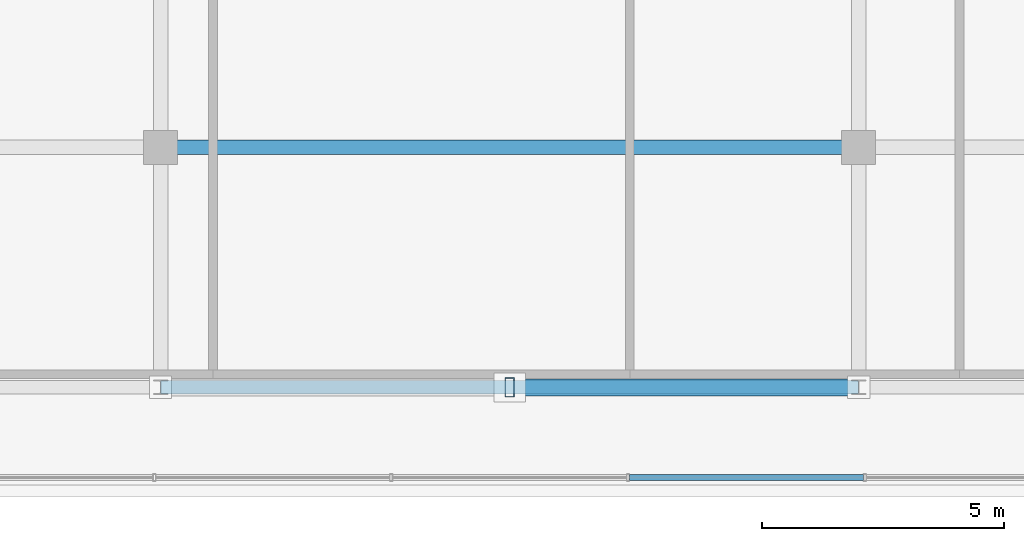
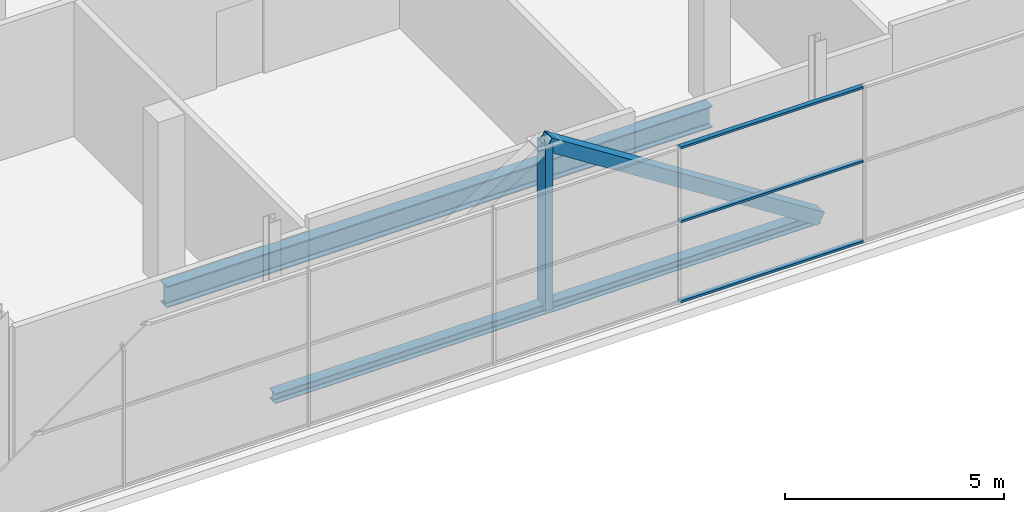
# One storey, part 8 of 28: 5 members, 2 beams, 1 element without a shape of its own.
"""IFC4 building model written with IfcOpenShell, lengths in metres."""

import ifcopenshell
import ifcopenshell.guid

model = None  # the IFC model being written
_history = None  # IfcOwnerHistory: only IFC2X3 demands one
_inside = {}  # id of a spatial element -> (the spatial element, [elements in it])
_under = {}  # id of a project, library or spatial element -> (it, [spatial elements below it])
_declared = {}  # id of a project -> (the project, [libraries it declares])
_typed = {}  # id of a type object -> (the type object, [elements of that type])
_made_of = {}  # id of a material, layer set ... -> (it, [elements and type objects made of it])


def new_model(schema):
    """Start an empty IFC model of exactly this schema.

    Asked for "IFC4X3", IfcOpenShell would pick the latest addendum, in which some entities
    have other attributes; the version numbers below select the first issue.
    IFC2X3 requires an IfcOwnerHistory on every rooted entity: one is made here for all.
    """
    global model, _history
    if schema == "IFC4X3":
        model = ifcopenshell.file(schema_version=(4, 3, 0, 0))
    else:
        model = ifcopenshell.file(schema=schema)
    _inside.clear()
    _under.clear()
    _declared.clear()
    _typed.clear()
    _made_of.clear()
    _history = None
    if model.schema == "IFC2X3":
        org = make("IfcOrganization", Name="unknown")
        user = make(
            "IfcPersonAndOrganization",
            ThePerson=make("IfcPerson", FamilyName="unknown"),
            TheOrganization=org,
        )
        app = make(
            "IfcApplication",
            ApplicationDeveloper=org,
            Version="unknown",
            ApplicationFullName="unknown",
            ApplicationIdentifier="unknown",
        )
        _history = make(
            "IfcOwnerHistory",
            OwningUser=user,
            OwningApplication=app,
            ChangeAction="ADDED",
            CreationDate=0,
        )
    return model


def make(cls, **values):
    """One entity of the class cls with the attributes given. An attribute that is None is left unset."""
    return model.create_entity(
        cls, **{name: value for name, value in values.items() if value is not None}
    )


def rooted(cls, **values):
    """An entity with a GlobalId (a new one), such as an element, a storey or a relation."""
    return make(cls, GlobalId=ifcopenshell.guid.new(), OwnerHistory=_history, **values)


def si_unit(unit_type, name, prefix=None):
    """IfcSIUnit, for example si_unit("LENGTHUNIT", "METRE", prefix="MILLI")."""
    return make("IfcSIUnit", UnitType=unit_type, Prefix=prefix, Name=name)


def assignment(units):
    """IfcUnitAssignment: the units of a project."""
    return None if units is None else make("IfcUnitAssignment", Units=units)


def point(xyz):
    """IfcCartesianPoint."""
    return None if xyz is None else make("IfcCartesianPoint", Coordinates=xyz)


def direction(xyz):
    """IfcDirection."""
    return None if xyz is None else make("IfcDirection", DirectionRatios=xyz)


def frame(location, z_axis=None, x_axis=None):
    """IfcAxis2Placement3D, a coordinate frame: its origin and axes. An axis left out is left unset."""
    return make(
        "IfcAxis2Placement3D",
        Location=point(location),
        Axis=direction(z_axis),
        RefDirection=direction(x_axis),
    )


def frame_2d(location, x_axis=None):
    """IfcAxis2Placement2D, a coordinate frame in the plane: its origin and x axis."""
    return make(
        "IfcAxis2Placement2D", Location=point(location), RefDirection=direction(x_axis)
    )


def origin():
    """The frame at (0, 0, 0) with its axes left unset."""
    return frame((0.0, 0.0, 0.0))


def origin_2d():
    """The frame at (0, 0) in the plane with its x axis left unset."""
    return frame_2d((0.0, 0.0))


def place(relative_to, where):
    """IfcLocalPlacement: puts the frame where relative to a parent placement (None: the world)."""
    return make(
        "IfcLocalPlacement", PlacementRelTo=relative_to, RelativePlacement=where
    )


def context(
    kind, dimensions, precision=None, world=None, true_north=None, identifier=None
):
    """IfcGeometricRepresentationContext, for example the 3D "Model" context."""
    return make(
        "IfcGeometricRepresentationContext",
        ContextIdentifier=identifier,
        ContextType=kind,
        CoordinateSpaceDimension=dimensions,
        Precision=precision,
        WorldCoordinateSystem=world,
        TrueNorth=true_north,
    )


def subcontext(parent, identifier, kind, view, scale=None):
    """IfcGeometricRepresentationSubContext, for example "Body" below "Model"."""
    return make(
        "IfcGeometricRepresentationSubContext",
        ContextIdentifier=identifier,
        ContextType=kind,
        ParentContext=parent,
        TargetScale=scale,
        TargetView=view,
    )


def project(units=None, contexts=None):
    """IfcProject with its units and contexts."""
    return rooted(
        "IfcProject",
        Name="project",
        RepresentationContexts=contexts,
        UnitsInContext=assignment(units),
    )


def spatial(cls, under=None, at=None, **own):
    """A site, building, storey or space (cls), placed at a placement, below another one or the project."""
    s = rooted(cls, ObjectPlacement=at, **own)
    if under is not None:
        _under.setdefault(under.id(), (under, []))[1].append(s)
    return s


def profile(cls, at=None, kind="AREA", **sizes):
    """A parametric profile (cls). Its sizes go by their IFC names, for example OverallWidth=200.0."""
    return make(cls, ProfileType=kind, Position=at, **sizes)


def hollow_rectangle(**sizes):
    """IfcRectangleHollowProfileDef."""
    return profile("IfcRectangleHollowProfileDef", **sizes)


def i_section(**sizes):
    """IfcIShapeProfileDef."""
    return profile("IfcIShapeProfileDef", **sizes)


def extrude(swept, where, along, depth):
    """IfcExtrudedAreaSolid: the profile swept, set in the frame where, extruded along a direction by depth."""
    return make(
        "IfcExtrudedAreaSolid",
        SweptArea=swept,
        Position=where,
        ExtrudedDirection=direction(along),
        Depth=depth,
    )


def shape(context_of_items, identifier, shape_type, items):
    """IfcShapeRepresentation: the items that make up one representation, for example the "Body"."""
    return make(
        "IfcShapeRepresentation",
        ContextOfItems=context_of_items,
        RepresentationIdentifier=identifier,
        RepresentationType=shape_type,
        Items=items,
    )


def source(mapping_origin, context_of_items, identifier, shape_type, items):
    """IfcRepresentationMap: a shape defined once, which mapped items show again and again."""
    return make(
        "IfcRepresentationMap",
        MappingOrigin=mapping_origin,
        MappedRepresentation=shape(context_of_items, identifier, shape_type, items),
    )


def transform(
    local_origin,
    x_axis=None,
    y_axis=None,
    z_axis=None,
    scale=None,
    scale2=None,
    scale3=None,
    uniform=True,
):
    """IfcCartesianTransformationOperator3D, or its non-uniform kind. x_axis, y_axis, z_axis: its Axis1, 2, 3."""
    if uniform:
        return make(
            "IfcCartesianTransformationOperator3D",
            Axis1=direction(x_axis),
            Axis2=direction(y_axis),
            LocalOrigin=point(local_origin),
            Scale=scale,
            Axis3=direction(z_axis),
        )
    return make(
        "IfcCartesianTransformationOperator3DnonUniform",
        Axis1=direction(x_axis),
        Axis2=direction(y_axis),
        LocalOrigin=point(local_origin),
        Scale=scale,
        Axis3=direction(z_axis),
        Scale2=scale2,
        Scale3=scale3,
    )


def mapped(mapping_source, mapping_target):
    """IfcMappedItem: shows the shape of a source again, moved by a transform."""
    return make(
        "IfcMappedItem", MappingSource=mapping_source, MappingTarget=mapping_target
    )


def material(Name=None, Category=None):
    """IfcMaterial."""
    return make("IfcMaterial", Name=Name, Category=Category)


def layer(
    of_material, thickness, ventilated=None, Name=None, Category=None, Priority=None
):
    """IfcMaterialLayer: one layer of a wall or slab, of a material (None: an air gap)."""
    return make(
        "IfcMaterialLayer",
        Material=of_material,
        LayerThickness=thickness,
        IsVentilated=ventilated,
        Name=Name,
        Category=Category,
        Priority=Priority,
    )


def layer_set(layers, Name=None):
    """IfcMaterialLayerSet."""
    return make("IfcMaterialLayerSet", MaterialLayers=layers, LayerSetName=Name)


def material_profile(
    of_material, cross_section, Name=None, Category=None, Priority=None
):
    """IfcMaterialProfile: a cross section and its material."""
    return make(
        "IfcMaterialProfile",
        Name=Name,
        Material=of_material,
        Profile=cross_section,
        Priority=Priority,
        Category=Category,
    )


def profile_set(profiles, Name=None, composite=None):
    """IfcMaterialProfileSet."""
    return make(
        "IfcMaterialProfileSet",
        Name=Name,
        MaterialProfiles=profiles,
        CompositeProfile=composite,
    )


def made_of(thing, what):
    """Note that an element or type object is made of a material, layer set ...; save() writes the relation."""
    if what is not None:
        _made_of.setdefault(what.id(), (what, []))[1].append(thing)
    return thing


def type_object(cls, material=None, **own):
    """A type object (cls), such as IfcWallType, which elements share."""
    return made_of(rooted(cls, **own), material)


def element(
    cls,
    number,
    at=None,
    inside=None,
    cuts=None,
    type_object=None,
    material=None,
    context=None,
    identifier="Body",
    shape_type=None,
    held_by="IfcProductDefinitionShape",
    body=None,
    shapes=None,
    **own,
):
    """One element of the class cls, such as IfcWall. Its Tag is "e" and its number.

    at: its placement. inside: the storey or other place that contains it. cuts: it is an
    opening in that element (IfcRelVoidsElement). A single representation is given by context,
    identifier, shape_type and body (its items); several are given by shapes. held_by: the class
    of the entity that holds the representations. save() writes the other relations.
    """
    e = rooted(cls, Tag="e%d" % number, ObjectPlacement=at, **own)
    if body is not None:
        shapes = [shape(context, identifier, shape_type, body)]
    if shapes is not None:
        e.Representation = make(held_by, Representations=shapes)
    if inside is not None:
        _inside.setdefault(inside.id(), (inside, []))[1].append(e)
    if cuts is not None:
        rooted(
            "IfcRelVoidsElement", RelatingBuildingElement=cuts, RelatedOpeningElement=e
        )
    if type_object is not None:
        _typed.setdefault(type_object.id(), (type_object, []))[1].append(e)
    return made_of(e, material)


def aggregate(whole, parts):
    """IfcRelAggregates: a whole, such as a stair, and the parts it consists of."""
    return rooted("IfcRelAggregates", RelatingObject=whole, RelatedObjects=parts)


def save(model, path):
    """Write the relations noted so far, then the file.

    IfcRelAggregates (storeys below a building ...), IfcRelContainedInSpatialStructure (elements
    in a storey), IfcRelDefinesByType, IfcRelAssociatesMaterial and IfcRelDeclares: one each for
    every whole, place, type object, material and project.
    """
    for whole, parts in _under.values():
        aggregate(whole, parts)
    for where, things in _inside.values():
        rooted(
            "IfcRelContainedInSpatialStructure",
            RelatedElements=things,
            RelatingStructure=where,
        )
    for kind, things in _typed.values():
        rooted("IfcRelDefinesByType", RelatedObjects=things, RelatingType=kind)
    for what, things in _made_of.values():
        rooted("IfcRelAssociatesMaterial", RelatedObjects=things, RelatingMaterial=what)
    for by, libraries in _declared.values():
        rooted("IfcRelDeclares", RelatingContext=by, RelatedDefinitions=libraries)
    model.write(path)


model = new_model("IFC4")

# Units and contexts
model_context = context("Model", 3, precision=1e-05, world=origin(), true_north=direction((0.0, 1.0)))
body_context = subcontext(model_context, "Body", "Model", "MODEL_VIEW")
ifc_project = project(units=[si_unit("LENGTHUNIT", "METRE"), si_unit("AREAUNIT", "SQUARE_METRE"), si_unit("VOLUMEUNIT", "CUBIC_METRE"), si_unit("PLANEANGLEUNIT", "RADIAN"), si_unit("MASSUNIT", "GRAM", prefix="KILO")], contexts=[model_context])

# Site, building, storey
site_placement = place(None, origin())
site = spatial("IfcSite", under=ifc_project, at=site_placement, CompositionType="ELEMENT")
building_placement = place(site_placement, origin())
building = spatial("IfcBuilding", under=site, at=building_placement, Name="Zarnakvel Exchange Tower", CompositionType="ELEMENT")
storey_placement = place(building_placement, frame((0.0, 0.0, 276.199951171875)))
storey = spatial("IfcBuildingStorey", under=building, at=storey_placement, Name="Crown L78", CompositionType="ELEMENT", Elevation=276.199951171875)

# Beams
ifc_material_1 = material(Name="Steel S355", Category="steel")
ifc_material_profile_1 = material_profile(ifc_material_1, i_section(OverallWidth=0.300048828125, OverallDepth=0.60009765625, WebThickness=0.015380859375, FlangeThickness=0.030029296875, FilletRadius=0.027099609375, at=origin_2d()))
ifc_profile_set_1 = profile_set([ifc_material_profile_1], Name="Steel S355")
beam_type_1 = type_object("IfcBeamType", Name="G-04", PredefinedType="BEAM", material=ifc_profile_set_1)
beam_1_placement = place(storey_placement, frame((-7.199951171875, -9.60009765625, -0.52001953125), z_axis=(1.0, 0.0, 0.0), x_axis=(0.0, 1.0, 0.0)))
element("IfcBeam", 1, at=beam_1_placement, inside=storey, type_object=beam_type_1, Name="Crown L78 Tower E-W Frame Beam", PredefinedType="BEAM", context=body_context, shape_type="SweptSolid", body=[
    extrude(i_section(OverallWidth=0.300048828125, OverallDepth=0.60009765625, WebThickness=0.015380859375, FlangeThickness=0.030029296875, FilletRadius=0.027099609375, at=origin_2d()), origin(), (0.0, 0.0, 1.0), 14.39990234375),
])
ifc_material_profile_2 = material_profile(ifc_material_1, i_section(OverallWidth=0.280029296875, OverallDepth=0.280029296875, WebThickness=0.010498046875, FlangeThickness=0.01806640625, FilletRadius=0.02392578125, at=origin_2d()))
ifc_profile_set_2 = profile_set([ifc_material_profile_2], Name="Steel S355")
beam_type_2 = type_object("IfcBeamType", Name="SP-04", PredefinedType="SPANDREL", material=ifc_profile_set_2)
beam_2_placement = place(storey_placement, frame((-7.199951171875, -14.550048828125, -0.35986328125), z_axis=(1.0, 0.0, 0.0), x_axis=(0.0, 1.0, 0.0)))
element("IfcBeam", 2, at=beam_2_placement, inside=storey, type_object=beam_type_2, Name="Crown L78 Tower E-W Frame Beam", PredefinedType="SPANDREL", context=body_context, shape_type="SweptSolid", body=[
    extrude(i_section(OverallWidth=0.280029296875, OverallDepth=0.280029296875, WebThickness=0.010498046875, FlangeThickness=0.01806640625, FilletRadius=0.02392578125, at=origin_2d()), origin(), (0.0, 0.0, 1.0), 14.39990234375),
])

# Members
ifc_material_profile_3 = material_profile(ifc_material_1, hollow_rectangle(XDim=0.35009765625, YDim=0.35009765625, WallThickness=0.01611328125, at=origin_2d()))
ifc_profile_set_3 = profile_set([ifc_material_profile_3], Name="Steel S355")
member_type_1 = type_object("IfcMemberType", Name="CB-BR1", PredefinedType="BRACE", material=ifc_profile_set_3)
shared_shape_1 = source(origin(), body_context, "Body", "SweptSolid", [
    extrude(hollow_rectangle(XDim=0.35009765625, YDim=0.35009765625, WallThickness=0.01611328125, at=origin_2d()), origin(), (0.0, 0.0, 1.0), 8.5439453125),
])
member_1_placement = place(storey_placement, frame((7.199951171875, -14.550048828125, -0.35986328125), z_axis=(-0.842702381832, 0.0, 0.53837969469), x_axis=(0.0, -1.0, 0.0)))
element("IfcMember", 3, at=member_1_placement, inside=storey, type_object=member_type_1, Name="Crown L78 Crown Chevron Brace R (CB-BR1)", PredefinedType="BRACE", context=body_context, shape_type="MappedRepresentation", body=[
    mapped(shared_shape_1, transform((0.0, 0.0, 0.0), x_axis=(1.0, 0.0, 0.0), y_axis=(0.0, 1.0, 0.0), z_axis=(0.0, 0.0, 1.0), scale=1.0)),
])
ifc_material_profile_4 = material_profile(ifc_material_1, hollow_rectangle(XDim=0.199951171875, YDim=0.39990234375, WallThickness=0.01611328125, at=origin_2d()))
ifc_profile_set_4 = profile_set([ifc_material_profile_4], Name="Steel S355")
member_type_2 = type_object("IfcMemberType", Name="CB-ST1", PredefinedType="STRUT", material=ifc_profile_set_4)
shared_shape_2 = source(origin(), body_context, "Body", "SweptSolid", [
    extrude(hollow_rectangle(XDim=0.199951171875, YDim=0.39990234375, WallThickness=0.01611328125, at=origin_2d()), origin(), (0.0, 0.0, 1.0), 4.599853515625),
])
member_2_placement = place(storey_placement, frame((0.0, -14.550048828125, -0.35986328125), z_axis=(0.0, 0.0, 1.0), x_axis=(1.0, 0.0, 0.0)))
element("IfcMember", 4, at=member_2_placement, inside=storey, type_object=member_type_2, Name="Crown L78 Crown Frame Post (CB-ST1)", PredefinedType="STRUT", context=body_context, shape_type="MappedRepresentation", body=[
    mapped(shared_shape_2, transform((0.0, 0.0, 0.0), x_axis=(1.0, 0.0, 0.0), y_axis=(0.0, 1.0, 0.0), z_axis=(0.0, 0.0, 1.0), scale=1.0)),
])

# Curtain wall, members
ifc_material_2 = material(Name="Architectural Bronze Anodised Aluminium", Category="aluminium")
ifc_layer = layer(ifc_material_2, 0.14990234375)
ifc_layer_set = layer_set([ifc_layer], Name="Architectural Bronze Anodised Aluminium")
curtain_wall_type = type_object("IfcCurtainWallType", Name="CW-07", PredefinedType="NOTDEFINED", material=ifc_layer_set)
curtain_wall_placement = place(storey_placement, origin())
curtain_wall = element("IfcCurtainWall", 5, at=curtain_wall_placement, inside=storey, type_object=curtain_wall_type, Name="Crown L78 Curtain Wall CW-Crown L78-S (CW-07)", PredefinedType="NOTDEFINED")
ifc_material_profile_5 = material_profile(ifc_material_2, hollow_rectangle(XDim=0.1201171875, YDim=0.06005859375, WallThickness=0.00390625, at=origin_2d()))
ifc_profile_set_5 = profile_set([ifc_material_profile_5], Name="Architectural Bronze Anodised Aluminium")
member_type_3 = type_object("IfcMemberType", Name="CWT-07", PredefinedType="USERDEFINED", material=ifc_profile_set_5)
shared_shape_3 = source(origin(), body_context, "Body", "SweptSolid", [
    extrude(hollow_rectangle(XDim=0.1201171875, YDim=0.06005859375, WallThickness=0.00390625, at=origin_2d()), origin(), (0.0, 0.0, 1.0), 4.82568359375),
])
member_3_placement = place(storey_placement, frame((2.472900390625, -16.409912109375, 0.030029296875), z_axis=(1.0, 0.0, 0.0), x_axis=(0.0, 1.0, 0.0)))
member_3 = element("IfcMember", 6, at=member_3_placement, type_object=member_type_3, Name="CW-07 transom 5.1", ObjectType="TRANSOM", PredefinedType="USERDEFINED", context=body_context, shape_type="MappedRepresentation", body=[
    mapped(shared_shape_3, transform((0.0, 0.0, 0.0), x_axis=(1.0, 0.0, 0.0), y_axis=(0.0, 1.0, 0.0), z_axis=(0.0, 0.0, 1.0), scale=1.0)),
])
member_4_placement = place(storey_placement, frame((2.472900390625, -16.409912109375, 2.267333984375), z_axis=(1.0, 0.0, 0.0), x_axis=(0.0, 1.0, 0.0)))
member_4 = element("IfcMember", 7, at=member_4_placement, type_object=member_type_3, Name="CW-07 transom 5.2", ObjectType="TRANSOM", PredefinedType="USERDEFINED", context=body_context, shape_type="MappedRepresentation", body=[
    mapped(shared_shape_3, transform((0.0, 0.0, 0.0), x_axis=(1.0, 0.0, 0.0), y_axis=(0.0, 1.0, 0.0), z_axis=(0.0, 0.0, 1.0), scale=1.0)),
])
member_5_placement = place(storey_placement, frame((2.472900390625, -16.409912109375, 4.330078125), z_axis=(1.0, 0.0, 0.0), x_axis=(0.0, 1.0, 0.0)))
member_5 = element("IfcMember", 8, at=member_5_placement, type_object=member_type_3, Name="CW-07 transom 5.3", ObjectType="TRANSOM", PredefinedType="USERDEFINED", context=body_context, shape_type="MappedRepresentation", body=[
    mapped(shared_shape_3, transform((0.0, 0.0, 0.0), x_axis=(1.0, 0.0, 0.0), y_axis=(0.0, 1.0, 0.0), z_axis=(0.0, 0.0, 1.0), scale=1.0)),
])
aggregate(curtain_wall, [member_3, member_4, member_5])

save(model, "model.ifc")
